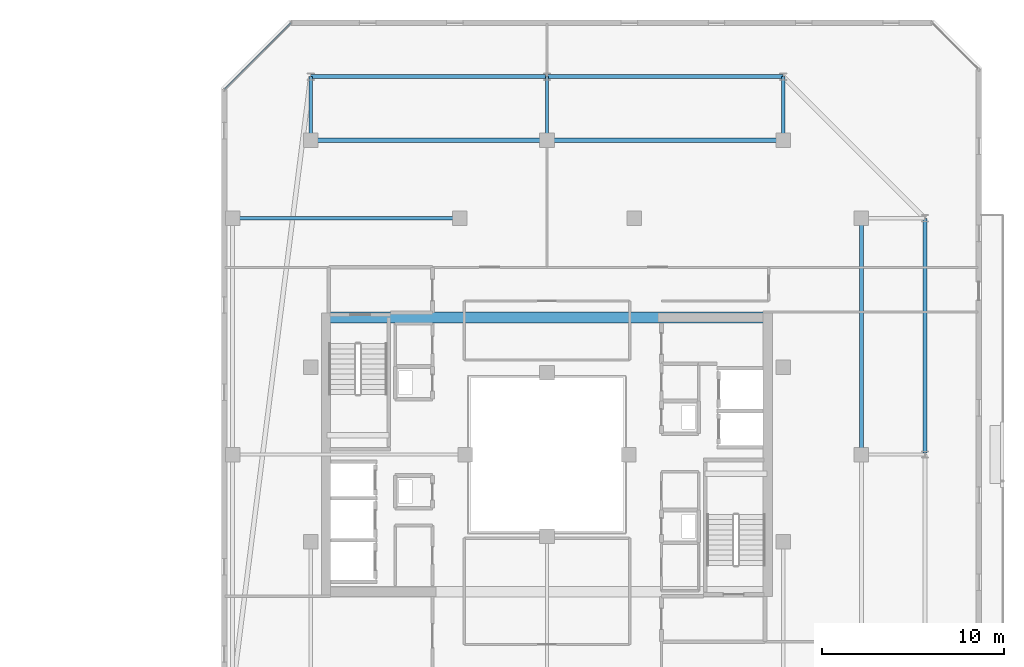
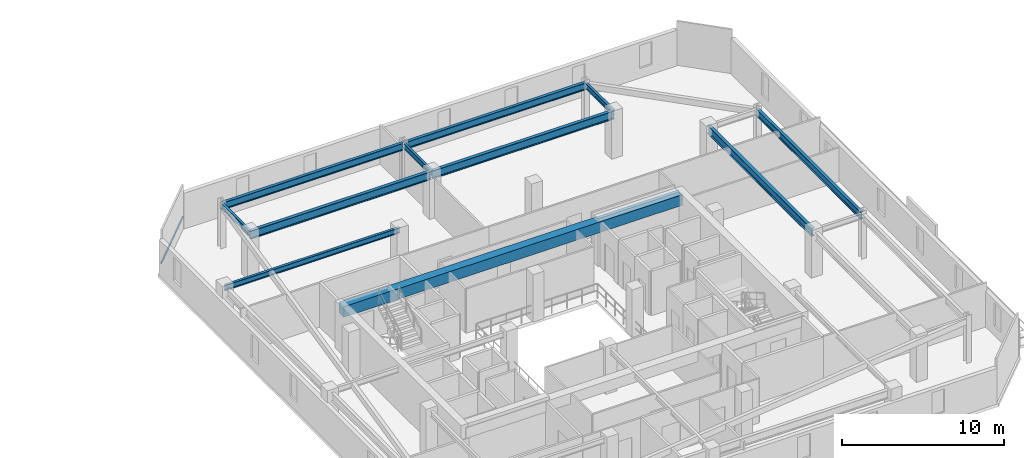
# One storey, part 17 of 34: 11 beams, 1 member, 1 element without a shape of its own.
"""IFC4 building model written with IfcOpenShell, lengths in metres."""

from ifc_helpers import new_model, si_unit, direction, frame, origin, origin_2d, place, context, subcontext, project, spatial, rectangle, hollow_rectangle, i_section, extrude, material, material_profile, profile_set, type_object, element, aggregate, save


model = new_model("IFC4")

# Units and contexts
model_context = context("Model", 3, precision=1e-05, world=origin(), true_north=direction((0.0, 1.0)))
body_context = subcontext(model_context, "Body", "Model", "MODEL_VIEW")
ifc_project = project(units=[si_unit("LENGTHUNIT", "METRE"), si_unit("AREAUNIT", "SQUARE_METRE"), si_unit("VOLUMEUNIT", "CUBIC_METRE"), si_unit("PLANEANGLEUNIT", "RADIAN"), si_unit("MASSUNIT", "GRAM", prefix="KILO")], contexts=[model_context])

# Site, building, storey
site_placement = place(None, origin())
site = spatial("IfcSite", under=ifc_project, at=site_placement, CompositionType="ELEMENT")
building_placement = place(site_placement, origin())
building = spatial("IfcBuilding", under=site, at=building_placement, Name="Thornwick Lancets Civic Towers", CompositionType="ELEMENT")
storey_placement = place(building_placement, frame((0.0, 0.0, 261.89990234375)))
storey = spatial("IfcBuildingStorey", under=building, at=storey_placement, Name="L70", CompositionType="ELEMENT", Elevation=261.89990234375)

# Beams
ifc_material_1 = material(Name="Concrete C60/75", Category="concrete")
ifc_material_profile_1 = material_profile(ifc_material_1, rectangle(XDim=0.60009765625, YDim=0.800048828125, at=origin_2d()), Name="RC 600x800")
ifc_profile_set_1 = profile_set([ifc_material_profile_1], Name="Concrete C60/75")
beam_type_1 = type_object("IfcBeamType", Name="BM_COUP_RC800", PredefinedType="BEAM", material=ifc_profile_set_1)
beam_1_placement = place(storey_placement, frame((76.39990234375, 34.550048828125, 2.960205078125), z_axis=(1.0, 0.0, 0.0), x_axis=(0.0, 1.0, 0.0)))
element("IfcBeam", 1, at=beam_1_placement, inside=storey, type_object=beam_type_1, Name="CB-L70-B1", PredefinedType="BEAM", context=body_context, shape_type="SweptSolid", body=[
    extrude(rectangle(XDim=0.60009765625, YDim=0.800048828125, at=origin_2d()), origin(), (0.0, 0.0, 1.0), 24.2001953125),
])
ifc_material_2 = material(Name="Steel S355JR", Category="steel")
ifc_material_profile_2 = material_profile(ifc_material_2, i_section(OverallWidth=0.210693359375, OverallDepth=0.53955078125, WebThickness=0.01171875, FlangeThickness=0.018798828125, FilletRadius=0.0126953125, at=origin_2d()), Name="UKB 533x210x109")
ifc_profile_set_2 = profile_set([ifc_material_profile_2], Name="Steel S355JR")
beam_type_2 = type_object("IfcBeamType", Name="BM_EDGE_533_109", PredefinedType="SPANDREL", material=ifc_profile_set_2)
beam_2_placement = place(storey_placement, frame((109.300048828125, 27.080078125, 3.09033203125), z_axis=(0.0, 1.0, 0.0), x_axis=(-1.0, 0.0, 0.0)))
element("IfcBeam", 2, at=beam_2_placement, inside=storey, type_object=beam_type_2, Name="BM-EDGE-L70-B-S0-2", PredefinedType="SPANDREL", context=body_context, shape_type="SweptSolid", body=[
    extrude(i_section(OverallWidth=0.210693359375, OverallDepth=0.53955078125, WebThickness=0.01171875, FlangeThickness=0.018798828125, FilletRadius=0.0126953125, at=origin_2d()), origin(), (0.0, 0.0, 1.0), 12.919921875),
])
beam_3_placement = place(storey_placement, frame((101.5, 47.800048828125, 3.09033203125), z_axis=(-1.0, 0.0, 0.0), x_axis=(0.0, -1.0, 0.0)))
element("IfcBeam", 3, at=beam_3_placement, inside=storey, type_object=beam_type_2, Name="BM-EDGE-L70-B-S1-1", PredefinedType="SPANDREL", context=body_context, shape_type="SweptSolid", body=[
    extrude(i_section(OverallWidth=0.210693359375, OverallDepth=0.53955078125, WebThickness=0.01171875, FlangeThickness=0.018798828125, FilletRadius=0.0126953125, at=origin_2d()), origin(), (0.0, 0.0, 1.0), 13.0),
])
beam_4_placement = place(storey_placement, frame((88.419921875, 47.800048828125, 3.09033203125), z_axis=(-1.0, 0.0, 0.0), x_axis=(0.0, -1.0, 0.0)))
element("IfcBeam", 4, at=beam_4_placement, inside=storey, type_object=beam_type_2, Name="BM-EDGE-L70-B-S1-2", PredefinedType="SPANDREL", context=body_context, shape_type="SweptSolid", body=[
    extrude(i_section(OverallWidth=0.210693359375, OverallDepth=0.53955078125, WebThickness=0.01171875, FlangeThickness=0.018798828125, FilletRadius=0.0126953125, at=origin_2d()), origin(), (0.0, 0.0, 1.0), 12.919921875),
])
ifc_material_profile_3 = material_profile(ifc_material_2, i_section(OverallWidth=0.230224609375, OverallDepth=0.6171875, WebThickness=0.01318359375, FlangeThickness=0.022216796875, FilletRadius=0.0126953125, at=origin_2d()), Name="UKB 610x229x140")
ifc_profile_set_3 = profile_set([ifc_material_profile_3], Name="Steel S355JR")
beam_type_3 = type_object("IfcBeamType", Name="BM_GIRD_610_140", PredefinedType="BEAM", material=ifc_profile_set_3)
beam_5_placement = place(storey_placement, frame((105.800048828125, 27.080078125, 3.051513671875), z_axis=(0.0, 1.0, 0.0), x_axis=(-1.0, 0.0, 0.0)))
element("IfcBeam", 5, at=beam_5_placement, inside=storey, type_object=beam_type_3, Name="BM-SPINE-L70-B-1-2", PredefinedType="BEAM", context=body_context, shape_type="SweptSolid", body=[
    extrude(i_section(OverallWidth=0.230224609375, OverallDepth=0.6171875, WebThickness=0.01318359375, FlangeThickness=0.022216796875, FilletRadius=0.0126953125, at=origin_2d()), origin(), (0.0, 0.0, 1.0), 12.919921875),
])
beam_6_placement = place(storey_placement, frame((101.5, 44.300048828125, 3.051513671875), z_axis=(-1.0, 0.0, 0.0), x_axis=(0.0, -1.0, 0.0)))
element("IfcBeam", 6, at=beam_6_placement, inside=storey, type_object=beam_type_3, Name="BM-SPINE-L70-B-3-4", PredefinedType="BEAM", context=body_context, shape_type="SweptSolid", body=[
    extrude(i_section(OverallWidth=0.230224609375, OverallDepth=0.6171875, WebThickness=0.01318359375, FlangeThickness=0.022216796875, FilletRadius=0.0126953125, at=origin_2d()), origin(), (0.0, 0.0, 1.0), 13.0),
])
beam_7_placement = place(storey_placement, frame((88.419921875, 44.300048828125, 3.051513671875), z_axis=(-1.0, 0.0, 0.0), x_axis=(0.0, -1.0, 0.0)))
element("IfcBeam", 7, at=beam_7_placement, inside=storey, type_object=beam_type_3, Name="BM-SPINE-L70-B-4-5", PredefinedType="BEAM", context=body_context, shape_type="SweptSolid", body=[
    extrude(i_section(OverallWidth=0.230224609375, OverallDepth=0.6171875, WebThickness=0.01318359375, FlangeThickness=0.022216796875, FilletRadius=0.0126953125, at=origin_2d()), origin(), (0.0, 0.0, 1.0), 12.919921875),
])
ifc_material_profile_4 = material_profile(ifc_material_2, i_section(OverallWidth=0.179443359375, OverallDepth=0.412841796875, WebThickness=0.009521484375, FlangeThickness=0.01611328125, FilletRadius=0.01025390625, at=origin_2d()), Name="UKB 406x178x74")
ifc_profile_set_4 = profile_set([ifc_material_profile_4], Name="Steel S355JR")
beam_type_4 = type_object("IfcBeamType", Name="BM_JOIST_406_74", PredefinedType="JOIST", material=ifc_profile_set_4)
for number, where, z_axis, x_axis, name in (
    (8, (101.5, 44.300048828125, 3.15380859375), (0.0, 1.0, 0.0), (-1.0, 0.0, 0.0), "BM-RAD-L70-B04"),
    (9, (88.5, 44.300048828125, 3.15380859375), (0.0, 1.0, 0.0), (-1.0, 0.0, 0.0), "BM-RAD-L70-B05"),
    (10, (75.5, 44.300048828125, 3.15380859375), (0.0, 1.0, 0.0), (-1.0, 0.0, 0.0), "BM-RAD-L70-B06"),
):
    element("IfcBeam", number, at=place(storey_placement, frame(where, z_axis=z_axis, x_axis=x_axis)), inside=storey, type_object=beam_type_4, Name=name, PredefinedType="JOIST", context=body_context, shape_type="SweptSolid", body=[
        extrude(i_section(OverallWidth=0.179443359375, OverallDepth=0.412841796875, WebThickness=0.009521484375, FlangeThickness=0.01611328125, FilletRadius=0.01025390625, at=origin_2d()), origin(), (0.0, 0.0, 1.0), 3.5),
    ])
beam_8_placement = place(storey_placement, frame((83.699951171875, 40.0, 3.15380859375), z_axis=(-1.0, 0.0, 0.0), x_axis=(0.0, -1.0, 0.0)))
element("IfcBeam", 11, at=beam_8_placement, inside=storey, type_object=beam_type_4, Name="BM-RADIN-L70-B09", PredefinedType="JOIST", context=body_context, shape_type="SweptSolid", body=[
    extrude(i_section(OverallWidth=0.179443359375, OverallDepth=0.412841796875, WebThickness=0.009521484375, FlangeThickness=0.01611328125, FilletRadius=0.01025390625, at=origin_2d()), origin(), (0.0, 0.0, 1.0), 12.5),
])

# Curtain wall, member
ifc_material_3 = material(Name="High-zone chamfered-corner unitised glass curtain wall", Category="glass")
curtain_wall_type = type_object("IfcCurtainWallType", Name="CW_SYS_05", PredefinedType="NOTDEFINED", material=ifc_material_3)
curtain_wall_placement = place(storey_placement, origin())
curtain_wall = element("IfcCurtainWall", 12, at=curtain_wall_placement, inside=storey, type_object=curtain_wall_type, Name="L70 Curtain Wall CW-L70-B-E5", PredefinedType="NOTDEFINED")
ifc_material_4 = material(Name="Thermally broken bronze aluminium S355", Category="steel")
ifc_material_profile_5 = material_profile(ifc_material_4, hollow_rectangle(XDim=0.074951171875, YDim=0.14990234375, WallThickness=0.0048828125, at=origin_2d()), Name="RHS 150x75x5")
ifc_profile_set_5 = profile_set([ifc_material_profile_5], Name="Thermally broken bronze aluminium S355")
member_type = type_object("IfcMemberType", Name="CW_TRN_150", PredefinedType="USERDEFINED", material=ifc_profile_set_5)
member_placement = place(storey_placement, frame((74.408203125, 50.746826171875, 0.85009765625), z_axis=(-0.707106781187, -0.707106781187, 0.0), x_axis=(0.707106781187, -0.707106781187, 0.0)))
member = element("IfcMember", 13, at=member_placement, type_object=member_type, Name="CW-L70-B-E5 Transom 0", ObjectType="TRANSOM", PredefinedType="USERDEFINED", context=body_context, shape_type="SweptSolid", body=[
    extrude(hollow_rectangle(XDim=0.074951171875, YDim=0.14990234375, WallThickness=0.0048828125, at=origin_2d()), origin(), (0.0, 0.0, 1.0), 5.1689453125),
])
aggregate(curtain_wall, [member])

save(model, "model.ifc")
